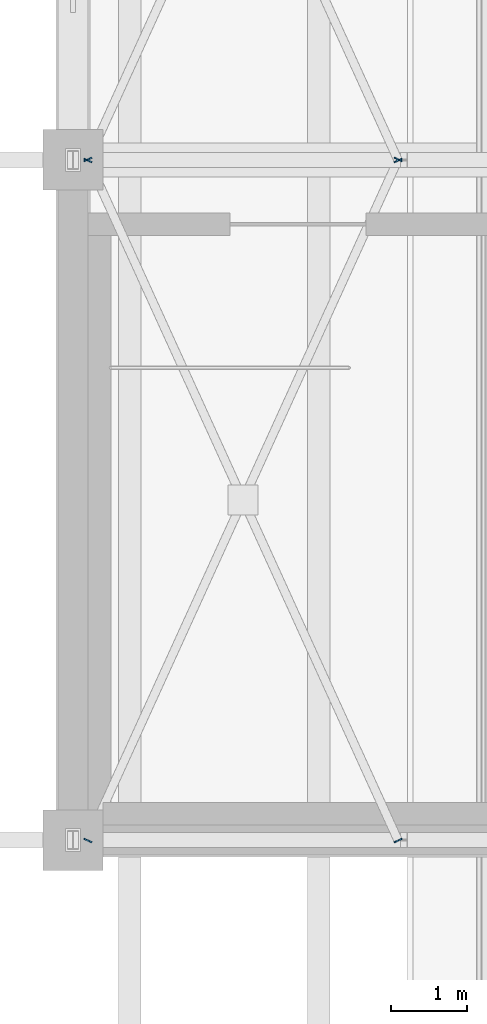
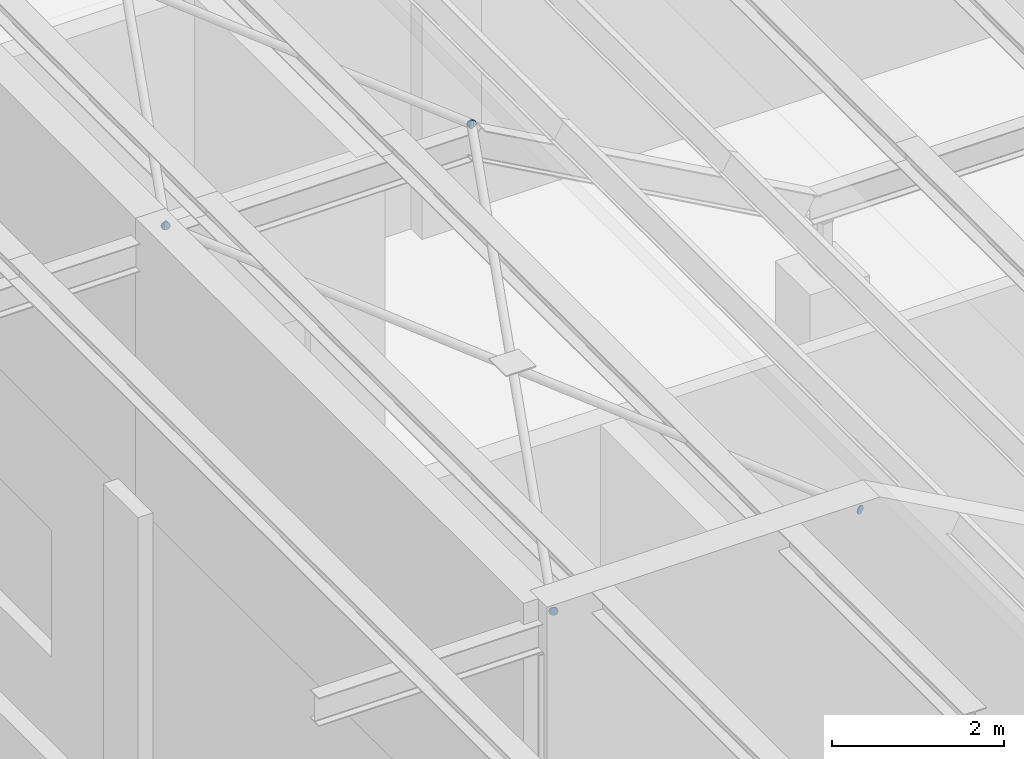
# One storey, part 251 of 437: 6 plates.
"""IFC4 building model written with IfcOpenShell, lengths in metres."""

from ifc_helpers import new_model, si_unit, direction, frame, origin, place, context, subcontext, project, spatial, polyline, outline, extrude, material, layer, layer_set, type_object, element, save


model = new_model("IFC4")

# Units and contexts
model_context = context("Model", 3, precision=1e-05, world=origin(), true_north=direction((0.0, 1.0)))
body_context = subcontext(model_context, "Body", "Model", "MODEL_VIEW")
ifc_project = project(units=[si_unit("LENGTHUNIT", "METRE"), si_unit("AREAUNIT", "SQUARE_METRE"), si_unit("VOLUMEUNIT", "CUBIC_METRE"), si_unit("PLANEANGLEUNIT", "RADIAN"), si_unit("MASSUNIT", "GRAM", prefix="KILO")], contexts=[model_context])

# Site, building, storey
site_placement = place(None, origin())
site = spatial("IfcSite", under=ifc_project, at=site_placement, CompositionType="ELEMENT")
building_placement = place(site_placement, origin())
building = spatial("IfcBuilding", under=site, at=building_placement, Name="Opaline Strait Convention Centre", CompositionType="ELEMENT")
storey_placement = place(building_placement, frame((0.0, 0.0, 11.5)))
storey = spatial("IfcBuildingStorey", under=building, at=storey_placement, Name="L02", CompositionType="ELEMENT", Elevation=11.5)

# Plates
ifc_material = material(Name="Steel Q355B", Category="steel")
ifc_layer = layer(ifc_material, 0.014892578125)
ifc_layer_set = layer_set([ifc_layer], Name="Steel Q355B")
plate_type = type_object("IfcPlateType", Name="Brace end plate 15 Q355B", PredefinedType="SHEET", material=ifc_layer_set)
plate_1_placement = place(storey_placement, frame((9.251953125, 8.976318359375, 8.35693359375), z_axis=(0.41375908061, 0.910386414229, 0.0), x_axis=(-0.188026382977, 0.085455606691, -0.978439276905)))
element("IfcPlate", 1, at=plate_1_placement, inside=storey, type_object=plate_type, Name="Brace end plate 1-9-1 A", PredefinedType="SHEET", context=body_context, shape_type="SweptSolid", body=[
    extrude(outline(polyline([(0.0, 0.0), (0.02220732153531475, 0.0), (0.042911707863981734, 0.00824702728410063), (0.05862383718407851, 0.02357778397414023), (0.06745975706591488, 0.04415970001291812), (0.0676502081119258, 0.06633939224732127), (0.059520564651876925, 0.08692997013084658), (0.04391568093916447, 0.102841370967483), (0.023557031363154568, 0.11159928561350353), (0.0011567379299084087, 0.11186717929579817), (-0.01930877162217055, 0.1035697285014835), (-0.03530568259751196, 0.08807192514957736), (-0.044095697600691715, 0.06770747928288005), (-0.044332053525359266, 0.04531031687639631), (-0.035917628410065745, 0.024886785654737544), (-0.020551621473941312, 0.009025808328315173), (0.0, 0.0)])), origin(), (0.0, 0.0, -1.0), 0.014892578125),
])
plate_2_placement = place(storey_placement, frame((13.358154296875, 17.989990234375, 8.35693359375), z_axis=(0.414546759903, 0.910028012675, 0.0), x_axis=(-0.175211684293, 0.079814505718, -0.981290227387)))
element("IfcPlate", 2, at=plate_2_placement, inside=storey, type_object=plate_type, Name="Brace end plate 1-9-1 B", PredefinedType="SHEET", context=body_context, shape_type="SweptSolid", body=[
    extrude(outline(polyline([(0.0, 0.0), (0.022142802423366807, -8.673617379884035e-19), (0.042727250513924286, 0.008542007924152075), (0.05828100582850139, 0.024413026651226875), (0.06682195282960912, 0.04511902450470354), (0.06669550240146707, 0.06729920113890982), (0.05827249081068095, 0.08777145225734975), (0.042441871869317464, 0.10345829089687414), (0.021960200179139418, 0.11192457784020315), (-0.000441661016957879, 0.11187226917352971), (-0.02078653629809482, 0.10328325578414493), (-0.0365603784587825, 0.08755855665420899), (-0.04505854916977963, 0.06707057676838037), (-0.04497487503174818, 0.044672382166526046), (-0.036331776594851484, 0.024053811450947264), (-0.020740730462908537, 0.008413978276655572), (0.0, 0.0)])), origin(), (0.0, 0.0, -1.0), 0.014892578125),
])
plate_3_placement = place(storey_placement, frame((13.351806640625, 9.023681640625, 8.35693359375), z_axis=(-0.41375908061, 0.910386414229, 0.0), x_axis=(-0.179276737257, -0.081479003666, -0.980418800024)))
element("IfcPlate", 3, at=plate_3_placement, inside=storey, type_object=plate_type, Name="Brace end plate 1-9-2 A", PredefinedType="SHEET", context=body_context, shape_type="SweptSolid", body=[
    extrude(outline(polyline([(0.0, 0.0), (0.022162483649305856, 8.673617379884035e-19), (0.04278494893070467, 0.008449792777866992), (0.05838965693499103, 0.0241518973650234), (0.06697942188954967, 0.044601615143985696), (0.06699599346920582, 0.06700001851048218), (0.05862092687885372, 0.08729192251350287), (0.04286066325311855, 0.10304943382457994), (0.022460825206383577, 0.11182506698919197), (1.5212763796283724e-05, 0.11165523393934706), (-0.020367892459002966, 0.10315736406586684), (-0.03616819178720702, 0.08772124671978179), (-0.04480172547644752, 0.06705361879536137), (-0.0447745283214218, 0.044873125574323006), (-0.03620387040715202, 0.02431523433023096), (-0.020682966840016408, 0.008605800114767123), (0.0, 0.0)])), origin(), (0.0, 0.0, -1.0), 0.014892578125),
])
plate_4_placement = place(storey_placement, frame((9.24560546875, 18.037353515625, 8.35693359375), z_axis=(-0.414546759903, 0.910028012675, 0.0), x_axis=(-0.179211623196, -0.081636605355, -0.980417594078)))
element("IfcPlate", 4, at=plate_4_placement, inside=storey, type_object=plate_type, Name="Brace end plate 1-9-3 B", PredefinedType="SHEET", context=body_context, shape_type="SweptSolid", body=[
    extrude(outline(polyline([(0.0, 0.0), (0.022162510909890694, 8.673617379884035e-19), (0.042785030570389286, 0.008449679604664397), (0.058389819747743, 0.024151614034705997), (0.0669797153948215, 0.04460130640421782), (0.06699641236914419, 0.0669996510750849), (0.058685155940435, 0.08760866746105381), (0.04292499144569943, 0.10336628840039641), (0.022461533519843202, 0.11182504651710427), (7.95936576276253e-05, 0.11197235089320826), (-0.02030356623869179, 0.1034745927271315), (-0.03616764599207897, 0.08772151104381062), (-0.044801294476851855, 0.06705399458378838), (-0.04477423861348016, 0.04487347400343172), (-0.03620369160873751, 0.024315604870742094), (-0.02068288687818111, 0.008606062492811843), (0.0, 0.0)])), origin(), (0.0, 0.0, -1.0), 0.014892578125),
])
plate_5_placement = place(storey_placement, frame((9.251953125, 17.976318359375, 8.35693359375), z_axis=(0.41375908061, 0.910386414229, 0.0), x_axis=(-0.188026382977, 0.085455606691, -0.978439276905)))
element("IfcPlate", 5, at=plate_5_placement, inside=storey, type_object=plate_type, Name="Brace end plate 2-9-1 A", PredefinedType="SHEET", context=body_context, shape_type="SweptSolid", body=[
    extrude(outline(polyline([(0.0, 0.0), (0.02220732153531475, 0.0), (0.042911707863981734, 0.00824702728410063), (0.05862383718407851, 0.02357778397414023), (0.06745975706591488, 0.04415970001291812), (0.0676502081119258, 0.06633939224732127), (0.059520564651876925, 0.08692997013084658), (0.04391568093916447, 0.102841370967483), (0.023557031363154568, 0.11159928561350353), (0.0011567379299084087, 0.11186717929579817), (-0.01930877162217055, 0.1035697285014835), (-0.03530568259751196, 0.08807192514957736), (-0.044095697600691715, 0.06770747928288005), (-0.044332053525359266, 0.04531031687639631), (-0.035917628410065745, 0.024886785654737544), (-0.020551621473941312, 0.009025808328315173), (0.0, 0.0)])), origin(), (0.0, 0.0, -1.0), 0.014892578125),
])
plate_6_placement = place(storey_placement, frame((13.351806640625, 18.023681640625, 8.35693359375), z_axis=(-0.41375908061, 0.910386414229, 0.0), x_axis=(-0.179276737257, -0.081479003666, -0.980418800024)))
element("IfcPlate", 6, at=plate_6_placement, inside=storey, type_object=plate_type, Name="Brace end plate 2-9-2 A", PredefinedType="SHEET", context=body_context, shape_type="SweptSolid", body=[
    extrude(outline(polyline([(0.0, 0.0), (0.022162483649305856, 8.673617379884035e-19), (0.04278494893070467, 0.008449792777866992), (0.05838965693499103, 0.0241518973650234), (0.06697942188954967, 0.044601615143985696), (0.06699599346920582, 0.06700001851048218), (0.05862092687885372, 0.08729192251350287), (0.04286066325311855, 0.10304943382457994), (0.022460825206383577, 0.11182506698919197), (1.5212763796283724e-05, 0.11165523393934706), (-0.020367892459002966, 0.10315736406586684), (-0.03616819178720702, 0.08772124671978179), (-0.04480172547644752, 0.06705361879536137), (-0.0447745283214218, 0.044873125574323006), (-0.03620387040715202, 0.02431523433023096), (-0.020682966840016408, 0.008605800114767123), (0.0, 0.0)])), origin(), (0.0, 0.0, -1.0), 0.014892578125),
])

save(model, "model.ifc")
